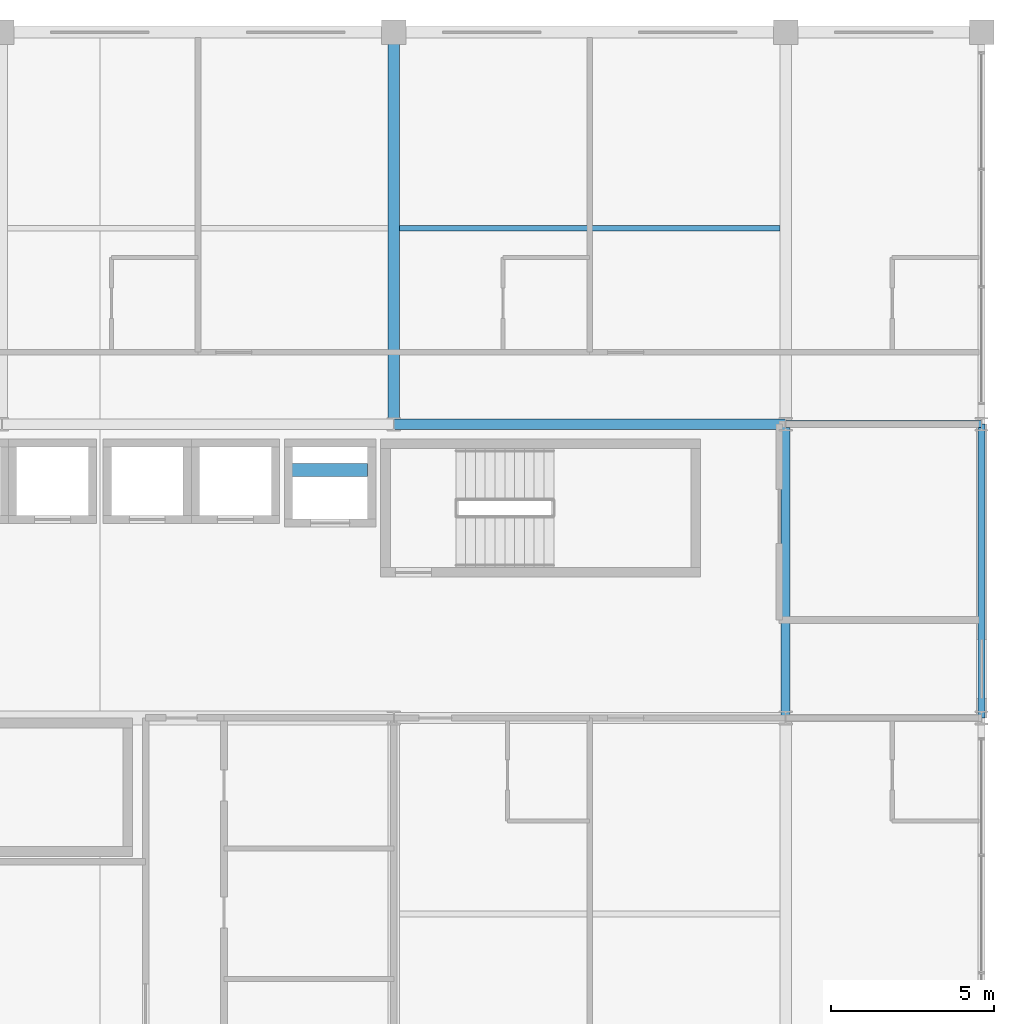
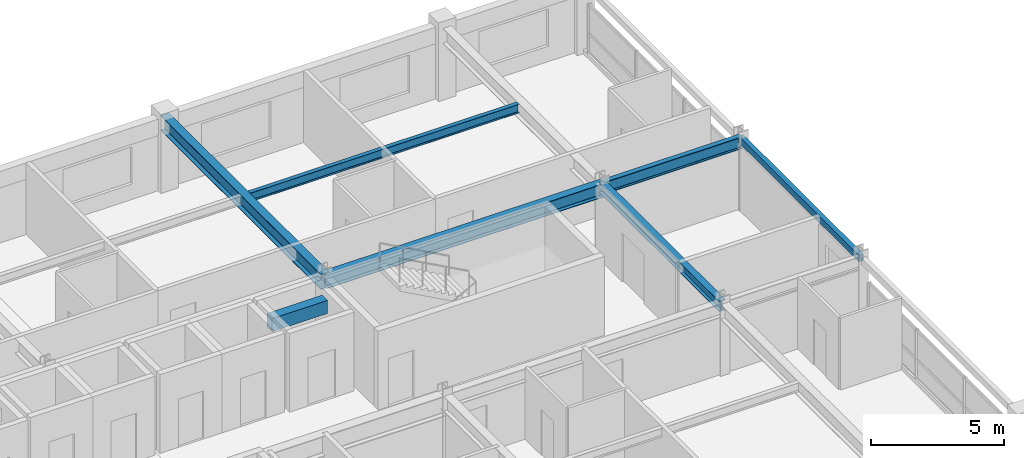
# One storey, part 10 of 20: 7 beams.
"""IFC4 building model written with IfcOpenShell, lengths in metres."""

from ifc_helpers import new_model, si_unit, direction, frame, origin, origin_2d, place, context, subcontext, project, spatial, rectangle, hollow_rectangle, i_section, extrude, material, material_profile, profile_set, type_object, element, save


model = new_model("IFC4")

# Units and contexts
model_context = context("Model", 3, precision=1e-05, world=origin(), true_north=direction((0.0, 1.0)))
body_context = subcontext(model_context, "Body", "Model", "MODEL_VIEW")
ifc_project = project(units=[si_unit("LENGTHUNIT", "METRE"), si_unit("AREAUNIT", "SQUARE_METRE"), si_unit("VOLUMEUNIT", "CUBIC_METRE"), si_unit("PLANEANGLEUNIT", "RADIAN"), si_unit("MASSUNIT", "GRAM", prefix="KILO")], contexts=[model_context])

# Site, building, storey
site_placement = place(None, origin())
site = spatial("IfcSite", under=ifc_project, at=site_placement, CompositionType="ELEMENT")
building_placement = place(site_placement, origin())
building = spatial("IfcBuilding", under=site, at=building_placement, Name="Kaldorvane Square Convention Centre", CompositionType="ELEMENT")
storey_placement = place(building_placement, frame((0.0, 0.0, 56.399993896484375)))
storey = spatial("IfcBuildingStorey", under=building, at=storey_placement, Name="L13", CompositionType="ELEMENT", Elevation=56.399993896484375)

# Beams
ifc_material_1 = material(Name="Steel ASTM A992 Gr. 50", Category="steel")
ifc_material_profile_1 = material_profile(ifc_material_1, i_section(OverallWidth=0.213897705078125, OverallDepth=0.549102783203125, WebThickness=0.0146942138671875, FlangeThickness=0.0236053466796875, FilletRadius=0.0126953125, at=origin_2d()), Name="W21X93")
ifc_profile_set_1 = profile_set([ifc_material_profile_1], Name="Steel ASTM A992 Gr. 50")
beam_type_1 = type_object("IfcBeamType", Name="BM-GR-W21X93", PredefinedType="BEAM", material=ifc_profile_set_1)
beam_1_placement = place(storey_placement, frame((78.0, 105.0, 3.011505126953125), z_axis=(1.0, 0.0, 0.0), x_axis=(0.0, 1.0, 0.0)))
element("IfcBeam", 1, at=beam_1_placement, inside=storey, type_object=beam_type_1, Name="Primary Girder (L13)", PredefinedType="BEAM", context=body_context, shape_type="SweptSolid", body=[
    extrude(i_section(OverallWidth=0.213897705078125, OverallDepth=0.549102783203125, WebThickness=0.0146942138671875, FlangeThickness=0.0236053466796875, FilletRadius=0.0126953125, at=origin_2d()), origin(), (0.0, 0.0, 1.0), 6.0),
])
ifc_material_profile_2 = material_profile(ifc_material_1, i_section(OverallWidth=0.326507568359375, OverallDepth=0.621795654296875, WebThickness=0.0153961181640625, FlangeThickness=0.0243988037109375, FilletRadius=0.0126953125, at=origin_2d()), Name="W24X131")
ifc_profile_set_2 = profile_set([ifc_material_profile_2], Name="Steel ASTM A992 Gr. 50")
beam_type_2 = type_object("IfcBeamType", Name="BM-GR-W24X131", PredefinedType="BEAM", material=ifc_profile_set_2)
beam_2_placement = place(storey_placement, frame((66.0, 105.0, 2.9751129150390625), z_axis=(1.0, 0.0, 0.0), x_axis=(0.0, 1.0, 0.0)))
element("IfcBeam", 2, at=beam_2_placement, inside=storey, type_object=beam_type_2, Name="Primary Girder (L13)", PredefinedType="BEAM", context=body_context, shape_type="SweptSolid", body=[
    extrude(i_section(OverallWidth=0.326507568359375, OverallDepth=0.621795654296875, WebThickness=0.0153961181640625, FlangeThickness=0.0243988037109375, FilletRadius=0.0126953125, at=origin_2d()), origin(), (0.0, 0.0, 1.0), 12.0),
])
ifc_material_profile_3 = material_profile(ifc_material_1, i_section(OverallWidth=0.354705810546875, OverallDepth=0.69549560546875, WebThickness=0.0153961181640625, FlangeThickness=0.0251007080078125, FilletRadius=0.01519775390625, at=origin_2d()), Name="W27X146")
ifc_profile_set_3 = profile_set([ifc_material_profile_3], Name="Steel ASTM A992 Gr. 50")
beam_type_3 = type_object("IfcBeamType", Name="BM-GR-W27X146", PredefinedType="BEAM", material=ifc_profile_set_3)
beam_3_placement = place(storey_placement, frame((66.0, 105.0, 2.9383087158203125), z_axis=(0.0, 1.0, 0.0), x_axis=(-1.0, 0.0, 0.0)))
element("IfcBeam", 3, at=beam_3_placement, inside=storey, type_object=beam_type_3, Name="Transverse Girder (L13)", PredefinedType="BEAM", context=body_context, shape_type="SweptSolid", body=[
    extrude(i_section(OverallWidth=0.354705810546875, OverallDepth=0.69549560546875, WebThickness=0.0153961181640625, FlangeThickness=0.0251007080078125, FilletRadius=0.01519775390625, at=origin_2d()), origin(), (0.0, 0.0, 1.0), 12.0),
])
ifc_material_profile_4 = material_profile(ifc_material_1, i_section(OverallWidth=0.177398681640625, OverallDepth=0.403106689453125, WebThickness=0.00750732421875, FlangeThickness=0.010894775390625, FilletRadius=0.01019287109375, at=origin_2d()), Name="W16X36")
ifc_profile_set_4 = profile_set([ifc_material_profile_4], Name="Steel ASTM A992 Gr. 50")
beam_type_4 = type_object("IfcBeamType", Name="BM-JS-W16X36", PredefinedType="JOIST", material=ifc_profile_set_4)
beam_4_placement = place(storey_placement, frame((66.17739868164062, 111.0, 3.084503173828125), z_axis=(1.0, 0.0, 0.0), x_axis=(0.0, 1.0, 0.0)))
element("IfcBeam", 4, at=beam_4_placement, inside=storey, type_object=beam_type_4, Name="Secondary Floor Joist (L13)", PredefinedType="JOIST", context=body_context, shape_type="SweptSolid", body=[
    extrude(i_section(OverallWidth=0.177398681640625, OverallDepth=0.403106689453125, WebThickness=0.00750732421875, FlangeThickness=0.010894775390625, FilletRadius=0.01019287109375, at=origin_2d()), origin(), (0.0, 0.0, 1.0), 11.64520263671875),
])
ifc_material_profile_5 = material_profile(ifc_material_1, i_section(OverallWidth=0.2799072265625, OverallDepth=0.462799072265625, WebThickness=0.01080322265625, FlangeThickness=0.017303466796875, FilletRadius=0.01019287109375, at=origin_2d()), Name="W18X76")
ifc_profile_set_5 = profile_set([ifc_material_profile_5], Name="Steel ASTM A992 Gr. 50")
beam_type_5 = type_object("IfcBeamType", Name="BM-JS-W18X76", PredefinedType="JOIST", material=ifc_profile_set_5)
beam_5_placement = place(storey_placement, frame((78.0, 96.0, 3.0546112060546875), z_axis=(0.0, 1.0, 0.0), x_axis=(-1.0, 0.0, 0.0)))
element("IfcBeam", 5, at=beam_5_placement, inside=storey, type_object=beam_type_5, Name="Transverse Girder (L13)", PredefinedType="JOIST", context=body_context, shape_type="SweptSolid", body=[
    extrude(i_section(OverallWidth=0.2799072265625, OverallDepth=0.462799072265625, WebThickness=0.01080322265625, FlangeThickness=0.017303466796875, FilletRadius=0.01019287109375, at=origin_2d()), origin(), (0.0, 0.0, 1.0), 9.0),
])
ifc_material_2 = material(Name="Concrete f'c = 42 MPa (Normalweight)", Category="concrete")
ifc_material_profile_6 = material_profile(ifc_material_2, rectangle(XDim=0.399993896484375, YDim=0.600006103515625, at=origin_2d()), Name="RCLN600X400")
ifc_profile_set_6 = profile_set([ifc_material_profile_6], Name="Concrete f'c = 42 MPa (Normalweight)")
beam_type_6 = type_object("IfcBeamType", Name="BM-LN-RC600", PredefinedType="LINTEL", material=ifc_profile_set_6)
beam_6_placement = place(storey_placement, frame((62.80000305175781, 103.60000610351562, 2.988006591796875), z_axis=(1.0, 0.0, 0.0), x_axis=(0.0, 1.0, 0.0)))
element("IfcBeam", 6, at=beam_6_placement, inside=storey, type_object=beam_type_6, Name="Core Coupling Lintel E (L13)", PredefinedType="LINTEL", context=body_context, shape_type="SweptSolid", body=[
    extrude(rectangle(XDim=0.399993896484375, YDim=0.600006103515625, at=origin_2d()), origin(), (0.0, 0.0, 1.0), 2.399993896484375),
])
ifc_material_3 = material(Name="Steel ASTM A500 Gr. C", Category="steel")
ifc_material_profile_7 = material_profile(ifc_material_3, hollow_rectangle(XDim=0.2032012939453125, YDim=0.3047943115234375, WallThickness=0.0088958740234375, at=origin_2d()), Name="HSS12X8X3/8")
ifc_profile_set_7 = profile_set([ifc_material_profile_7], Name="Steel ASTM A500 Gr. C")
beam_type_7 = type_object("IfcBeamType", Name="BM-SP-HSS12", PredefinedType="SPANDREL", material=ifc_profile_set_7)
beam_7_placement = place(storey_placement, frame((84.0, 96.0, 3.13360595703125), z_axis=(0.0, 1.0, 0.0), x_axis=(-1.0, 0.0, 0.0)))
element("IfcBeam", 7, at=beam_7_placement, inside=storey, type_object=beam_type_7, Name="End Spandrel (L13)", PredefinedType="SPANDREL", context=body_context, shape_type="SweptSolid", body=[
    extrude(hollow_rectangle(XDim=0.2032012939453125, YDim=0.3047943115234375, WallThickness=0.0088958740234375, at=origin_2d()), origin(), (0.0, 0.0, 1.0), 9.0),
])

save(model, "model.ifc")
